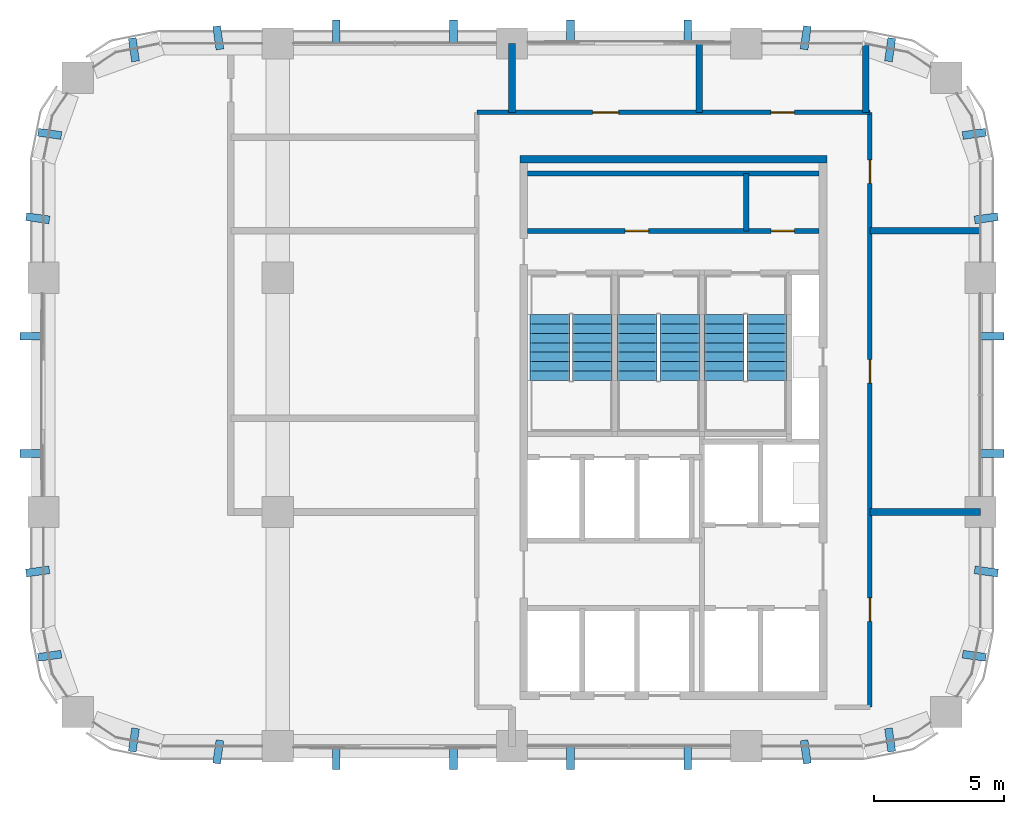
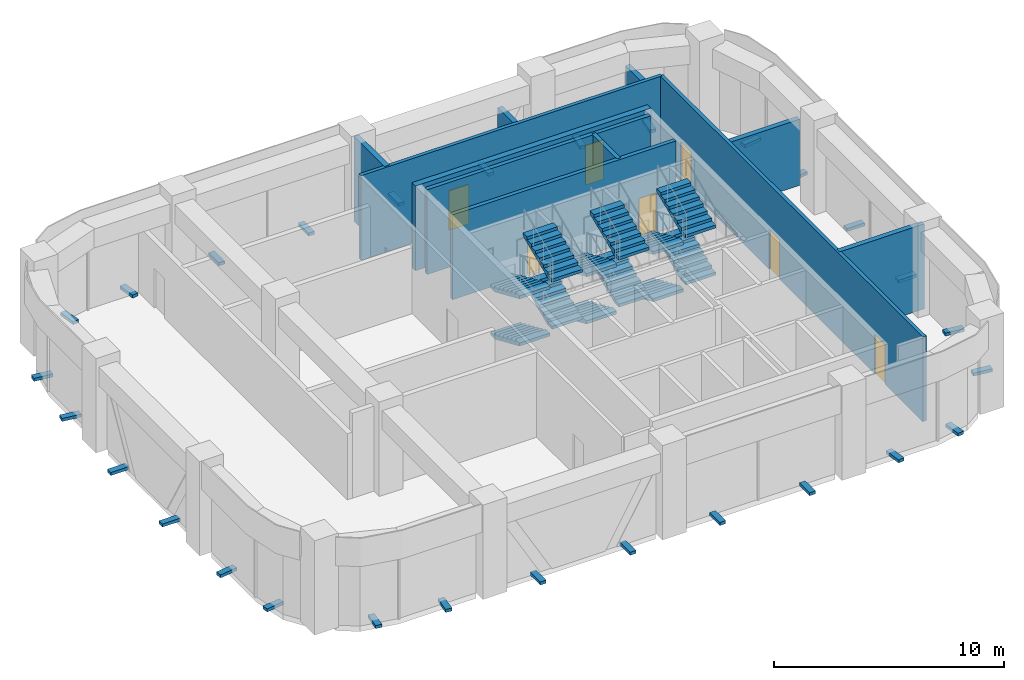
# One storey, part 9 of 11: 28 discrete accessories, 12 stair flights, 11 walls, 7 doors, 7 openings, 3 elements without a shape of their own.
"""IFC4 building model written with IfcOpenShell, lengths in metres."""

from ifc_helpers import new_model, si_unit, direction, frame, frame_2d, origin, origin_2d, place, context, subcontext, project, spatial, polyline, rectangle, outline, extrude, material, layer, layer_set, type_object, element, fill, aggregate, save


model = new_model("IFC4")

# Units and contexts
model_context = context("Model", 3, precision=1e-05, world=origin(), true_north=direction((0.0, 1.0)))
body_context = subcontext(model_context, "Body", "Model", "MODEL_VIEW")
ifc_project = project(units=[si_unit("LENGTHUNIT", "METRE"), si_unit("AREAUNIT", "SQUARE_METRE"), si_unit("VOLUMEUNIT", "CUBIC_METRE"), si_unit("PLANEANGLEUNIT", "RADIAN"), si_unit("MASSUNIT", "GRAM", prefix="KILO")], contexts=[model_context])

# Site, building, storey
site_placement = place(None, origin())
site = spatial("IfcSite", under=ifc_project, at=site_placement, CompositionType="ELEMENT")
building_placement = place(site_placement, origin())
building = spatial("IfcBuilding", under=site, at=building_placement, Name="Tessera Arch", CompositionType="ELEMENT")
storey_placement = place(building_placement, frame((0.0, 0.0, 290.199951171875)))
storey = spatial("IfcBuildingStorey", under=building, at=storey_placement, Name="L70", CompositionType="ELEMENT", Elevation=290.199951171875)

# Wall
ifc_material_1 = material(Name="Gypsum board on steel stud", Category="steel")
ifc_layer_1 = layer(ifc_material_1, 0.125)
ifc_layer_set_1 = layer_set([ifc_layer_1], Name="Core partition 125 EI 60")
wall_type_1 = type_object("IfcWallType", Name="Core partition 125 EI 60", PredefinedType="PARTITIONING", material=ifc_layer_set_1)
wall_1_placement = place(storey_placement, frame((45.0, 46.800048828125, 0.0), z_axis=(0.0, 0.0, 1.0), x_axis=(0.0, 1.0, 0.0)))
element("IfcWall", 1, at=wall_1_placement, inside=storey, type_object=wall_type_1, Name="L70 C1 partition wall 14", PredefinedType="PARTITIONING", context=body_context, shape_type="SweptSolid", body=[
    extrude(rectangle(XDim=2.199951171875, YDim=0.199951171875, at=frame_2d((1.10009765625, 0.0))), origin(), (0.0, 0.0, 1.0), 4.5),
])

# Wall, openings, doors
wall_2_placement = place(storey_placement, frame((36.60009765625, 46.800048828125, 0.0), z_axis=(0.0, 0.0, 1.0), x_axis=(1.0, 0.0, 0.0)))
wall_2 = element("IfcWall", 2, at=wall_2_placement, inside=storey, type_object=wall_type_1, Name="L70 C1 partition wall 38", PredefinedType="PARTITIONING", context=body_context, shape_type="SweptSolid", body=[
    extrude(rectangle(XDim=11.199951171875, YDim=0.199951171875, at=frame_2d((5.60009765625, 0.0))), origin(), (0.0, 0.0, 1.0), 4.5),
])
opening_1_placement = place(wall_2_placement, frame((3.75, 0.0, 0.0)))
opening_1 = element("IfcOpeningElement", 3, at=opening_1_placement, cuts=wall_2, Name="Opening L70-C18", PredefinedType="OPENING", context=body_context, shape_type="SweptSolid", body=[
    extrude(rectangle(XDim=0.89990234375, YDim=2.10009765625, at=frame_2d((0.449951171875, 1.050048828125))), frame((0.0, 0.10986328125, 0.0), z_axis=(0.0, -1.0, 0.0), x_axis=(1.0, 0.0, 0.0)), (0.0, 0.0, 1.0), 0.219970703125),
])
opening_2_placement = place(wall_2_placement, frame((9.35009765625, 0.0, 0.0)))
opening_2 = element("IfcOpeningElement", 4, at=opening_2_placement, cuts=wall_2, Name="Opening L70-C19", PredefinedType="OPENING", context=body_context, shape_type="SweptSolid", body=[
    extrude(rectangle(XDim=0.89990234375, YDim=2.10009765625, at=frame_2d((0.449951171875, 1.050048828125))), frame((0.0, 0.10986328125, 0.0), z_axis=(0.0, -1.0, 0.0), x_axis=(1.0, 0.0, 0.0)), (0.0, 0.0, 1.0), 0.219970703125),
])
ifc_material_2 = material(Name="Steel door leaf", Category="steel")
door_type_1 = type_object("IfcDoorType", Name="Store door FD30S 900 x 2100", OperationType="SINGLE_SWING_LEFT", PredefinedType="DOOR", material=ifc_material_2)
door_1_placement = place(opening_1_placement, origin())
door_1 = element("IfcDoor", 5, at=door_1_placement, inside=storey, type_object=door_type_1, Name="L70 C1 door 18 C18 type D09", OperationType="SINGLE_SWING_LEFT", OverallHeight=2.10009765625, OverallWidth=0.89990234375, PredefinedType="DOOR", context=body_context, shape_type="SweptSolid", body=[
    extrude(rectangle(XDim=0.89990234375, YDim=2.10009765625, at=frame_2d((0.449951171875, 1.050048828125))), frame((0.0, 0.02490234375, 0.0), z_axis=(0.0, -1.0, 0.0), x_axis=(1.0, 0.0, 0.0)), (0.0, 0.0, 1.0), 0.050048828125),
])
fill(opening_1, door_1)
door_2_placement = place(opening_2_placement, origin())
door_2 = element("IfcDoor", 6, at=door_2_placement, inside=storey, type_object=door_type_1, Name="L70 C1 door 19 C19 type D09", OperationType="SINGLE_SWING_RIGHT", OverallHeight=2.10009765625, OverallWidth=0.89990234375, PredefinedType="DOOR", context=body_context, shape_type="SweptSolid", body=[
    extrude(rectangle(XDim=0.89990234375, YDim=2.10009765625, at=frame_2d((0.449951171875, 1.050048828125))), frame((0.0, 0.02490234375, 0.0), z_axis=(0.0, -1.0, 0.0), x_axis=(1.0, 0.0, 0.0)), (0.0, 0.0, 1.0), 0.050048828125),
])
fill(opening_2, door_2)

# Walls
wall_3_placement = place(storey_placement, frame((36.60009765625, 49.0, 0.0), z_axis=(0.0, 0.0, 1.0), x_axis=(1.0, 0.0, 0.0)))
element("IfcWall", 7, at=wall_3_placement, inside=storey, type_object=wall_type_1, Name="L70 C1 partition wall 39", PredefinedType="PARTITIONING", context=body_context, shape_type="SweptSolid", body=[
    extrude(rectangle(XDim=11.199951171875, YDim=0.199951171875, at=frame_2d((5.60009765625, 0.0))), origin(), (0.0, 0.0, 1.0), 4.5),
])
ifc_material_3 = material(Name="Concrete C50/60", Category="concrete")
ifc_layer_2 = layer(ifc_material_3, 0.300048828125)
ifc_layer_set_2 = layer_set([ifc_layer_2], Name="Core shell wall 300 C50-60")
wall_type_2 = type_object("IfcWallType", Name="Core shell wall 300 C50-60", PredefinedType="SHEAR", material=ifc_layer_set_2)
wall_4_placement = place(storey_placement, frame((36.300048828125, 49.550048828125, 0.0), z_axis=(0.0, 0.0, 1.0), x_axis=(1.0, 0.0, 0.0)))
element("IfcWall", 8, at=wall_4_placement, inside=storey, type_object=wall_type_2, Name="L70 C1 core wall N", PredefinedType="SHEAR", context=body_context, shape_type="SweptSolid", body=[
    extrude(rectangle(XDim=11.800048828125, YDim=0.300048828125, at=frame_2d((5.89990234375, 0.0))), origin(), (0.0, 0.0, 1.0), 4.5),
])

# Wall, openings, doors
ifc_material_4 = material(Name="Gypsum board on deep steel stud with mineral wool", Category="steel")
ifc_layer_3 = layer(ifc_material_4, 0.175048828125)
ifc_layer_set_3 = layer_set([ifc_layer_3], Name="Corridor wall 175 EI 60")
wall_type_3 = type_object("IfcWallType", Name="Corridor wall 175 EI 60", PredefinedType="PARTITIONING", material=ifc_layer_set_3)
wall_5_placement = place(storey_placement, frame((34.64990234375, 51.35009765625, 0.0), z_axis=(0.0, 0.0, 1.0), x_axis=(1.0, 0.0, 0.0)))
wall_5 = element("IfcWall", 9, at=wall_5_placement, inside=storey, type_object=wall_type_3, Name="L70 partition 3", PredefinedType="PARTITIONING", context=body_context, shape_type="SweptSolid", body=[
    extrude(rectangle(XDim=15.10009765625, YDim=0.175048828125, at=frame_2d((7.550048828125, 0.0))), origin(), (0.0, 0.0, 1.0), 4.5),
])
opening_3_placement = place(wall_5_placement, frame((4.449951171875, 0.0, 0.0)))
opening_3 = element("IfcOpeningElement", 10, at=opening_3_placement, cuts=wall_5, Name="Opening L70-D008", PredefinedType="OPENING", context=body_context, shape_type="SweptSolid", body=[
    extrude(rectangle(XDim=1.0, YDim=2.10009765625, at=frame_2d((0.5, 1.050048828125))), frame((0.0, 0.097412109375, 0.0), z_axis=(0.0, -1.0, 0.0), x_axis=(1.0, 0.0, 0.0)), (0.0, 0.0, 1.0), 0.195068359375),
])
opening_4_placement = place(wall_5_placement, frame((11.294189453125, 0.0, 0.0)))
opening_4 = element("IfcOpeningElement", 11, at=opening_4_placement, cuts=wall_5, Name="Opening L70-D009", PredefinedType="OPENING", context=body_context, shape_type="SweptSolid", body=[
    extrude(rectangle(XDim=0.89990234375, YDim=2.10009765625, at=frame_2d((0.449951171875, 1.050048828125))), frame((0.0, 0.097412109375, 0.0), z_axis=(0.0, -1.0, 0.0), x_axis=(1.0, 0.0, 0.0)), (0.0, 0.0, 1.0), 0.195068359375),
])
ifc_material_5 = material(Name="Fire-rated door leaf")
door_type_2 = type_object("IfcDoorType", Name="Entrance door FD30S 1000 x 2100", OperationType="SINGLE_SWING_LEFT", PredefinedType="DOOR", material=ifc_material_5)
door_3_placement = place(opening_3_placement, origin())
door_3 = element("IfcDoor", 12, at=door_3_placement, inside=storey, type_object=door_type_2, Name="L70 door D008 type D03", OperationType="SINGLE_SWING_LEFT", OverallHeight=2.10009765625, OverallWidth=1.0, PredefinedType="DOOR", context=body_context, shape_type="SweptSolid", body=[
    extrude(rectangle(XDim=1.0, YDim=2.10009765625, at=frame_2d((0.5, 1.050048828125))), frame((0.0, 0.02490234375, 0.0), z_axis=(0.0, -1.0, 0.0), x_axis=(1.0, 0.0, 0.0)), (0.0, 0.0, 1.0), 0.050048828125),
])
fill(opening_3, door_3)
ifc_material_6 = material(Name="Timber door leaf", Category="wood")
door_type_3 = type_object("IfcDoorType", Name="Room door 900 x 2100", OperationType="SINGLE_SWING_LEFT", PredefinedType="DOOR", material=ifc_material_6)
door_4_placement = place(opening_4_placement, origin())
door_4 = element("IfcDoor", 13, at=door_4_placement, inside=storey, type_object=door_type_3, Name="L70 door D009 type D01", OperationType="SINGLE_SWING_RIGHT", OverallHeight=2.10009765625, OverallWidth=0.89990234375, PredefinedType="DOOR", context=body_context, shape_type="SweptSolid", body=[
    extrude(rectangle(XDim=0.89990234375, YDim=2.10009765625, at=frame_2d((0.449951171875, 1.050048828125))), frame((0.0, 0.02490234375, 0.0), z_axis=(0.0, -1.0, 0.0), x_axis=(1.0, 0.0, 0.0)), (0.0, 0.0, 1.0), 0.050048828125),
])
fill(opening_4, door_4)

wall_6_placement = place(storey_placement, frame((49.75, 28.5, 0.0), z_axis=(0.0, 0.0, 1.0), x_axis=(0.0, 1.0, 0.0)))
wall_6 = element("IfcWall", 14, at=wall_6_placement, inside=storey, type_object=wall_type_3, Name="L70 partition 5", PredefinedType="PARTITIONING", context=body_context, shape_type="SweptSolid", body=[
    extrude(rectangle(XDim=22.85009765625, YDim=0.175048828125, at=frame_2d((11.425048828125, 0.0))), origin(), (0.0, 0.0, 1.0), 4.5),
])
opening_5_placement = place(wall_6_placement, frame((3.300048828125, 0.0, 0.0)))
opening_5 = element("IfcOpeningElement", 15, at=opening_5_placement, cuts=wall_6, Name="Opening L70-D001", PredefinedType="OPENING", context=body_context, shape_type="SweptSolid", body=[
    extrude(rectangle(XDim=0.89990234375, YDim=2.10009765625, at=frame_2d((0.449951171875, 1.050048828125))), frame((0.0, 0.097412109375, 0.0), z_axis=(0.0, -1.0, 0.0), x_axis=(1.0, 0.0, 0.0)), (0.0, 0.0, 1.0), 0.195068359375),
])
opening_6_placement = place(wall_6_placement, frame((12.449951171875, 0.0, 0.0)))
opening_6 = element("IfcOpeningElement", 16, at=opening_6_placement, cuts=wall_6, Name="Opening L70-D004", PredefinedType="OPENING", context=body_context, shape_type="SweptSolid", body=[
    extrude(rectangle(XDim=0.89990234375, YDim=2.10009765625, at=frame_2d((0.449951171875, 1.050048828125))), frame((0.0, 0.097412109375, 0.0), z_axis=(0.0, -1.0, 0.0), x_axis=(1.0, 0.0, 0.0)), (0.0, 0.0, 1.0), 0.195068359375),
])
opening_7_placement = place(wall_6_placement, frame((20.125, 0.0, 0.0)))
opening_7 = element("IfcOpeningElement", 17, at=opening_7_placement, cuts=wall_6, Name="Opening L70-D007", PredefinedType="OPENING", context=body_context, shape_type="SweptSolid", body=[
    extrude(rectangle(XDim=0.89990234375, YDim=2.10009765625, at=frame_2d((0.449951171875, 1.050048828125))), frame((0.0, 0.097412109375, 0.0), z_axis=(0.0, -1.0, 0.0), x_axis=(1.0, 0.0, 0.0)), (0.0, 0.0, 1.0), 0.195068359375),
])
door_5_placement = place(opening_5_placement, origin())
door_5 = element("IfcDoor", 18, at=door_5_placement, inside=storey, type_object=door_type_3, Name="L70 door D001 type D01", OperationType="SINGLE_SWING_RIGHT", OverallHeight=2.10009765625, OverallWidth=0.89990234375, PredefinedType="DOOR", context=body_context, shape_type="SweptSolid", body=[
    extrude(rectangle(XDim=0.89990234375, YDim=2.10009765625, at=frame_2d((0.449951171875, 1.050048828125))), frame((0.0, 0.02490234375, 0.0), z_axis=(0.0, -1.0, 0.0), x_axis=(1.0, 0.0, 0.0)), (0.0, 0.0, 1.0), 0.050048828125),
])
fill(opening_5, door_5)
door_6_placement = place(opening_6_placement, origin())
door_6 = element("IfcDoor", 19, at=door_6_placement, inside=storey, type_object=door_type_3, Name="L70 door D004 type D01", OperationType="SINGLE_SWING_LEFT", OverallHeight=2.10009765625, OverallWidth=0.89990234375, PredefinedType="DOOR", context=body_context, shape_type="SweptSolid", body=[
    extrude(rectangle(XDim=0.89990234375, YDim=2.10009765625, at=frame_2d((0.449951171875, 1.050048828125))), frame((0.0, 0.02490234375, 0.0), z_axis=(0.0, -1.0, 0.0), x_axis=(1.0, 0.0, 0.0)), (0.0, 0.0, 1.0), 0.050048828125),
])
fill(opening_6, door_6)
door_7_placement = place(opening_7_placement, origin())
door_7 = element("IfcDoor", 20, at=door_7_placement, inside=storey, type_object=door_type_3, Name="L70 door D007 type D01", OperationType="SINGLE_SWING_RIGHT", OverallHeight=2.10009765625, OverallWidth=0.89990234375, PredefinedType="DOOR", context=body_context, shape_type="SweptSolid", body=[
    extrude(rectangle(XDim=0.89990234375, YDim=2.10009765625, at=frame_2d((0.449951171875, 1.050048828125))), frame((0.0, 0.02490234375, 0.0), z_axis=(0.0, -1.0, 0.0), x_axis=(1.0, 0.0, 0.0)), (0.0, 0.0, 1.0), 0.050048828125),
])
fill(opening_7, door_7)

# Walls
ifc_material_7 = material(Name="Double gypsum board on twin steel stud with acoustic mineral wool", Category="steel")
ifc_layer_4 = layer(ifc_material_7, 0.25)
ifc_layer_set_4 = layer_set([ifc_layer_4], Name="Party wall 250 EI 60")
wall_type_4 = type_object("IfcWallType", Name="Party wall 250 EI 60", PredefinedType="PARTITIONING", material=ifc_layer_set_4)
wall_7_placement = place(storey_placement, frame((49.75, 36.0, 0.0), z_axis=(0.0, 0.0, 1.0), x_axis=(1.0, 0.0, 0.0)))
element("IfcWall", 21, at=wall_7_placement, inside=storey, type_object=wall_type_4, Name="L70 partition 7", PredefinedType="PARTITIONING", context=body_context, shape_type="SweptSolid", body=[
    extrude(rectangle(XDim=4.25, YDim=0.25, at=frame_2d((2.125, 0.0))), origin(), (0.0, 0.0, 1.0), 4.5),
])
wall_8_placement = place(storey_placement, frame((49.75, 46.800048828125, 0.0), z_axis=(0.0, 0.0, 1.0), x_axis=(1.0, 0.0, 0.0)))
element("IfcWall", 22, at=wall_8_placement, inside=storey, type_object=wall_type_4, Name="L70 partition 10", PredefinedType="PARTITIONING", context=body_context, shape_type="SweptSolid", body=[
    extrude(rectangle(XDim=4.25, YDim=0.25, at=frame_2d((2.125, 0.0))), origin(), (0.0, 0.0, 1.0), 3.5),
])
wall_9_placement = place(storey_placement, frame((36.0, 51.35009765625, 0.0), z_axis=(0.0, 0.0, 1.0), x_axis=(0.0, 1.0, 0.0)))
element("IfcWall", 23, at=wall_9_placement, inside=storey, type_object=wall_type_4, Name="L70 partition 14", PredefinedType="PARTITIONING", context=body_context, shape_type="SweptSolid", body=[
    extrude(rectangle(XDim=2.64990234375, YDim=0.25, at=frame_2d((1.324951171875, 0.0))), origin(), (0.0, 0.0, 1.0), 4.5),
])
wall_10_placement = place(storey_placement, frame((43.199951171875, 51.35009765625, 0.0), z_axis=(0.0, 0.0, 1.0), x_axis=(0.0, 1.0, 0.0)))
element("IfcWall", 24, at=wall_10_placement, inside=storey, type_object=wall_type_4, Name="L70 partition 15", PredefinedType="PARTITIONING", context=body_context, shape_type="SweptSolid", body=[
    extrude(rectangle(XDim=2.64990234375, YDim=0.25, at=frame_2d((1.324951171875, 0.0))), origin(), (0.0, 0.0, 1.0), 3.5),
])
wall_11_placement = place(storey_placement, frame((49.589111328125, 51.35009765625, 0.0), z_axis=(0.0, 0.0, 1.0), x_axis=(0.0, 1.0, 0.0)))
element("IfcWall", 25, at=wall_11_placement, inside=storey, type_object=wall_type_4, Name="L70 partition 16", PredefinedType="PARTITIONING", context=body_context, shape_type="SweptSolid", body=[
    extrude(rectangle(XDim=2.63232421875, YDim=0.25, at=frame_2d((1.316162109375, 0.0))), origin(), (0.0, 0.0, 1.0), 3.5),
])

# Stair, stair flights
ifc_material_8 = material(Name="Concrete C40/50", Category="concrete")
stair_type = type_object("IfcStairType", Name="Dogleg stair 1520", PredefinedType="HALF_TURN_STAIR", material=ifc_material_8)
stair_1_placement = place(storey_placement, origin())
stair_1 = element("IfcStair", 26, at=stair_1_placement, inside=storey, type_object=stair_type, Name="L70 S1a", PredefinedType="HALF_TURN_STAIR")
ifc_material_9 = material(Name="Concrete C40/50", Category="concrete")
stair_flight_type = type_object("IfcStairFlightType", Name="Stair flight 1520", PredefinedType="STRAIGHT", material=ifc_material_9)
stair_flight_1_placement = place(storey_placement, frame((37.4599609375, 43.580078125, 0.0), z_axis=(0.0, 0.0, 1.0), x_axis=(0.0, -1.0, 0.0)))
stair_flight_1 = element("IfcStairFlight", 27, at=stair_flight_1_placement, type_object=stair_flight_type, Name="S1a flight 1", NumberOfRisers=8, NumberOfTreads=7, PredefinedType="STRAIGHT", RiserHeight=0.15625, TreadLength=0.36, context=body_context, shape_type="SweptSolid", body=[
    extrude(outline(polyline([(0.0, 0.0), (0.0, 0.15625), (0.360107421875, 0.15625), (0.360107421875, 0.3125), (0.719970703125, 0.3125), (0.719970703125, 0.46875), (1.080078125, 0.46875), (1.080078125, 0.625), (1.43994140625, 0.625), (1.43994140625, 0.78125), (1.800048828125, 0.78125), (1.800048828125, 0.9375), (2.159912109375, 0.9375), (2.159912109375, 1.09375), (2.52001953125, 1.09375), (2.52001953125, 1.25), (2.52001953125, 0.930419921875), (0.37646484375, 0.0), (0.0, 0.0)])), frame((0.0, 0.760009765625, 0.0), z_axis=(0.0, -1.0, 0.0), x_axis=(1.0, 0.0, 0.0)), (0.0, 0.0, 1.0), 1.52001953125),
])
stair_flight_2_placement = place(storey_placement, frame((39.090087890625, 41.06005859375, 1.25), z_axis=(0.0, 0.0, 1.0), x_axis=(0.0, 1.0, 0.0)))
stair_flight_2 = element("IfcStairFlight", 28, at=stair_flight_2_placement, type_object=stair_flight_type, Name="S1a flight 2", NumberOfRisers=8, NumberOfTreads=7, PredefinedType="STRAIGHT", RiserHeight=0.15625, TreadLength=0.36, context=body_context, shape_type="SweptSolid", body=[
    extrude(outline(polyline([(0.0, 0.0), (0.0, 0.15625), (0.360107421875, 0.15625), (0.360107421875, 0.3125), (0.719970703125, 0.3125), (0.719970703125, 0.46875), (1.080078125, 0.46875), (1.080078125, 0.625), (1.43994140625, 0.625), (1.43994140625, 0.78125), (1.800048828125, 0.78125), (1.800048828125, 0.9375), (2.159912109375, 0.9375), (2.159912109375, 1.09375), (2.52001953125, 1.09375), (2.52001953125, 1.25), (2.52001953125, 0.930419921875), (0.37646484375, 0.0), (0.0, 0.0)])), frame((0.0, 0.760009765625, 0.0), z_axis=(0.0, -1.0, 0.0), x_axis=(1.0, 0.0, 0.0)), (0.0, 0.0, 1.0), 1.52001953125),
])
stair_flight_3_placement = place(storey_placement, frame((37.4599609375, 43.580078125, 2.5), z_axis=(0.0, 0.0, 1.0), x_axis=(0.0, -1.0, 0.0)))
stair_flight_3 = element("IfcStairFlight", 29, at=stair_flight_3_placement, type_object=stair_flight_type, Name="S1a flight 3", NumberOfRisers=8, NumberOfTreads=7, PredefinedType="STRAIGHT", RiserHeight=0.15625, TreadLength=0.36, context=body_context, shape_type="SweptSolid", body=[
    extrude(outline(polyline([(0.0, 0.0), (0.0, 0.15625), (0.360107421875, 0.15625), (0.360107421875, 0.3125), (0.719970703125, 0.3125), (0.719970703125, 0.46875), (1.080078125, 0.46875), (1.080078125, 0.625), (1.43994140625, 0.625), (1.43994140625, 0.78125), (1.800048828125, 0.78125), (1.800048828125, 0.9375), (2.159912109375, 0.9375), (2.159912109375, 1.09375), (2.52001953125, 1.09375), (2.52001953125, 1.25), (2.52001953125, 0.930419921875), (0.37646484375, 0.0), (0.0, 0.0)])), frame((0.0, 0.760009765625, 0.0), z_axis=(0.0, -1.0, 0.0), x_axis=(1.0, 0.0, 0.0)), (0.0, 0.0, 1.0), 1.52001953125),
])
stair_flight_4_placement = place(storey_placement, frame((39.090087890625, 41.06005859375, 3.75), z_axis=(0.0, 0.0, 1.0), x_axis=(0.0, 1.0, 0.0)))
stair_flight_4 = element("IfcStairFlight", 30, at=stair_flight_4_placement, type_object=stair_flight_type, Name="S1a flight 4", NumberOfRisers=8, NumberOfTreads=7, PredefinedType="STRAIGHT", RiserHeight=0.15625, TreadLength=0.36, context=body_context, shape_type="SweptSolid", body=[
    extrude(outline(polyline([(0.0, 0.0), (0.0, 0.15625), (0.360107421875, 0.15625), (0.360107421875, 0.3125), (0.719970703125, 0.3125), (0.719970703125, 0.46875), (1.080078125, 0.46875), (1.080078125, 0.625), (1.43994140625, 0.625), (1.43994140625, 0.78125), (1.800048828125, 0.78125), (1.800048828125, 0.9375), (2.159912109375, 0.9375), (2.159912109375, 1.09375), (2.52001953125, 1.09375), (2.52001953125, 1.25), (2.52001953125, 0.930419921875), (0.37646484375, 0.0), (0.0, 0.0)])), frame((0.0, 0.760009765625, 0.0), z_axis=(0.0, -1.0, 0.0), x_axis=(1.0, 0.0, 0.0)), (0.0, 0.0, 1.0), 1.52001953125),
])
aggregate(stair_1, [stair_flight_1, stair_flight_2, stair_flight_3, stair_flight_4])

stair_2_placement = place(storey_placement, origin())
stair_2 = element("IfcStair", 31, at=stair_2_placement, inside=storey, type_object=stair_type, Name="L70 S1b", PredefinedType="HALF_TURN_STAIR")
stair_flight_5_placement = place(storey_placement, frame((40.81005859375, 43.580078125, 0.0), z_axis=(0.0, 0.0, 1.0), x_axis=(0.0, -1.0, 0.0)))
stair_flight_5 = element("IfcStairFlight", 32, at=stair_flight_5_placement, type_object=stair_flight_type, Name="S1b flight 1", NumberOfRisers=8, NumberOfTreads=7, PredefinedType="STRAIGHT", RiserHeight=0.15625, TreadLength=0.36, context=body_context, shape_type="SweptSolid", body=[
    extrude(outline(polyline([(0.0, 0.0), (0.0, 0.15625), (0.360107421875, 0.15625), (0.360107421875, 0.3125), (0.719970703125, 0.3125), (0.719970703125, 0.46875), (1.080078125, 0.46875), (1.080078125, 0.625), (1.43994140625, 0.625), (1.43994140625, 0.78125), (1.800048828125, 0.78125), (1.800048828125, 0.9375), (2.159912109375, 0.9375), (2.159912109375, 1.09375), (2.52001953125, 1.09375), (2.52001953125, 1.25), (2.52001953125, 0.930419921875), (0.37646484375, 0.0), (0.0, 0.0)])), frame((0.0, 0.760009765625, 0.0), z_axis=(0.0, -1.0, 0.0), x_axis=(1.0, 0.0, 0.0)), (0.0, 0.0, 1.0), 1.52001953125),
])
stair_flight_6_placement = place(storey_placement, frame((42.43994140625, 41.06005859375, 1.25), z_axis=(0.0, 0.0, 1.0), x_axis=(0.0, 1.0, 0.0)))
stair_flight_6 = element("IfcStairFlight", 33, at=stair_flight_6_placement, type_object=stair_flight_type, Name="S1b flight 2", NumberOfRisers=8, NumberOfTreads=7, PredefinedType="STRAIGHT", RiserHeight=0.15625, TreadLength=0.36, context=body_context, shape_type="SweptSolid", body=[
    extrude(outline(polyline([(0.0, 0.0), (0.0, 0.15625), (0.360107421875, 0.15625), (0.360107421875, 0.3125), (0.719970703125, 0.3125), (0.719970703125, 0.46875), (1.080078125, 0.46875), (1.080078125, 0.625), (1.43994140625, 0.625), (1.43994140625, 0.78125), (1.800048828125, 0.78125), (1.800048828125, 0.9375), (2.159912109375, 0.9375), (2.159912109375, 1.09375), (2.52001953125, 1.09375), (2.52001953125, 1.25), (2.52001953125, 0.930419921875), (0.37646484375, 0.0), (0.0, 0.0)])), frame((0.0, 0.760009765625, 0.0), z_axis=(0.0, -1.0, 0.0), x_axis=(1.0, 0.0, 0.0)), (0.0, 0.0, 1.0), 1.52001953125),
])
stair_flight_7_placement = place(storey_placement, frame((40.81005859375, 43.580078125, 2.5), z_axis=(0.0, 0.0, 1.0), x_axis=(0.0, -1.0, 0.0)))
stair_flight_7 = element("IfcStairFlight", 34, at=stair_flight_7_placement, type_object=stair_flight_type, Name="S1b flight 3", NumberOfRisers=8, NumberOfTreads=7, PredefinedType="STRAIGHT", RiserHeight=0.15625, TreadLength=0.36, context=body_context, shape_type="SweptSolid", body=[
    extrude(outline(polyline([(0.0, 0.0), (0.0, 0.15625), (0.360107421875, 0.15625), (0.360107421875, 0.3125), (0.719970703125, 0.3125), (0.719970703125, 0.46875), (1.080078125, 0.46875), (1.080078125, 0.625), (1.43994140625, 0.625), (1.43994140625, 0.78125), (1.800048828125, 0.78125), (1.800048828125, 0.9375), (2.159912109375, 0.9375), (2.159912109375, 1.09375), (2.52001953125, 1.09375), (2.52001953125, 1.25), (2.52001953125, 0.930419921875), (0.37646484375, 0.0), (0.0, 0.0)])), frame((0.0, 0.760009765625, 0.0), z_axis=(0.0, -1.0, 0.0), x_axis=(1.0, 0.0, 0.0)), (0.0, 0.0, 1.0), 1.52001953125),
])
stair_flight_8_placement = place(storey_placement, frame((42.43994140625, 41.06005859375, 3.75), z_axis=(0.0, 0.0, 1.0), x_axis=(0.0, 1.0, 0.0)))
stair_flight_8 = element("IfcStairFlight", 35, at=stair_flight_8_placement, type_object=stair_flight_type, Name="S1b flight 4", NumberOfRisers=8, NumberOfTreads=7, PredefinedType="STRAIGHT", RiserHeight=0.15625, TreadLength=0.36, context=body_context, shape_type="SweptSolid", body=[
    extrude(outline(polyline([(0.0, 0.0), (0.0, 0.15625), (0.360107421875, 0.15625), (0.360107421875, 0.3125), (0.719970703125, 0.3125), (0.719970703125, 0.46875), (1.080078125, 0.46875), (1.080078125, 0.625), (1.43994140625, 0.625), (1.43994140625, 0.78125), (1.800048828125, 0.78125), (1.800048828125, 0.9375), (2.159912109375, 0.9375), (2.159912109375, 1.09375), (2.52001953125, 1.09375), (2.52001953125, 1.25), (2.52001953125, 0.930419921875), (0.37646484375, 0.0), (0.0, 0.0)])), frame((0.0, 0.760009765625, 0.0), z_axis=(0.0, -1.0, 0.0), x_axis=(1.0, 0.0, 0.0)), (0.0, 0.0, 1.0), 1.52001953125),
])
aggregate(stair_2, [stair_flight_5, stair_flight_6, stair_flight_7, stair_flight_8])

stair_3_placement = place(storey_placement, origin())
stair_3 = element("IfcStair", 36, at=stair_3_placement, inside=storey, type_object=stair_type, Name="L70 S1c", PredefinedType="HALF_TURN_STAIR")
stair_flight_9_placement = place(storey_placement, frame((44.159912109375, 43.580078125, 0.0), z_axis=(0.0, 0.0, 1.0), x_axis=(0.0, -1.0, 0.0)))
stair_flight_9 = element("IfcStairFlight", 37, at=stair_flight_9_placement, type_object=stair_flight_type, Name="S1c flight 1", NumberOfRisers=8, NumberOfTreads=7, PredefinedType="STRAIGHT", RiserHeight=0.15625, TreadLength=0.36, context=body_context, shape_type="SweptSolid", body=[
    extrude(outline(polyline([(0.0, 0.0), (0.0, 0.15625), (0.360107421875, 0.15625), (0.360107421875, 0.3125), (0.719970703125, 0.3125), (0.719970703125, 0.46875), (1.080078125, 0.46875), (1.080078125, 0.625), (1.43994140625, 0.625), (1.43994140625, 0.78125), (1.800048828125, 0.78125), (1.800048828125, 0.9375), (2.159912109375, 0.9375), (2.159912109375, 1.09375), (2.52001953125, 1.09375), (2.52001953125, 1.25), (2.52001953125, 0.930419921875), (0.37646484375, 0.0), (0.0, 0.0)])), frame((0.0, 0.760009765625, 0.0), z_axis=(0.0, -1.0, 0.0), x_axis=(1.0, 0.0, 0.0)), (0.0, 0.0, 1.0), 1.52001953125),
])
stair_flight_10_placement = place(storey_placement, frame((45.7900390625, 41.06005859375, 1.25), z_axis=(0.0, 0.0, 1.0), x_axis=(0.0, 1.0, 0.0)))
stair_flight_10 = element("IfcStairFlight", 38, at=stair_flight_10_placement, type_object=stair_flight_type, Name="S1c flight 2", NumberOfRisers=8, NumberOfTreads=7, PredefinedType="STRAIGHT", RiserHeight=0.15625, TreadLength=0.36, context=body_context, shape_type="SweptSolid", body=[
    extrude(outline(polyline([(0.0, 0.0), (0.0, 0.15625), (0.360107421875, 0.15625), (0.360107421875, 0.3125), (0.719970703125, 0.3125), (0.719970703125, 0.46875), (1.080078125, 0.46875), (1.080078125, 0.625), (1.43994140625, 0.625), (1.43994140625, 0.78125), (1.800048828125, 0.78125), (1.800048828125, 0.9375), (2.159912109375, 0.9375), (2.159912109375, 1.09375), (2.52001953125, 1.09375), (2.52001953125, 1.25), (2.52001953125, 0.930419921875), (0.37646484375, 0.0), (0.0, 0.0)])), frame((0.0, 0.760009765625, 0.0), z_axis=(0.0, -1.0, 0.0), x_axis=(1.0, 0.0, 0.0)), (0.0, 0.0, 1.0), 1.52001953125),
])
stair_flight_11_placement = place(storey_placement, frame((44.159912109375, 43.580078125, 2.5), z_axis=(0.0, 0.0, 1.0), x_axis=(0.0, -1.0, 0.0)))
stair_flight_11 = element("IfcStairFlight", 39, at=stair_flight_11_placement, type_object=stair_flight_type, Name="S1c flight 3", NumberOfRisers=8, NumberOfTreads=7, PredefinedType="STRAIGHT", RiserHeight=0.15625, TreadLength=0.36, context=body_context, shape_type="SweptSolid", body=[
    extrude(outline(polyline([(0.0, 0.0), (0.0, 0.15625), (0.360107421875, 0.15625), (0.360107421875, 0.3125), (0.719970703125, 0.3125), (0.719970703125, 0.46875), (1.080078125, 0.46875), (1.080078125, 0.625), (1.43994140625, 0.625), (1.43994140625, 0.78125), (1.800048828125, 0.78125), (1.800048828125, 0.9375), (2.159912109375, 0.9375), (2.159912109375, 1.09375), (2.52001953125, 1.09375), (2.52001953125, 1.25), (2.52001953125, 0.930419921875), (0.37646484375, 0.0), (0.0, 0.0)])), frame((0.0, 0.760009765625, 0.0), z_axis=(0.0, -1.0, 0.0), x_axis=(1.0, 0.0, 0.0)), (0.0, 0.0, 1.0), 1.52001953125),
])
stair_flight_12_placement = place(storey_placement, frame((45.7900390625, 41.06005859375, 3.75), z_axis=(0.0, 0.0, 1.0), x_axis=(0.0, 1.0, 0.0)))
stair_flight_12 = element("IfcStairFlight", 40, at=stair_flight_12_placement, type_object=stair_flight_type, Name="S1c flight 4", NumberOfRisers=8, NumberOfTreads=7, PredefinedType="STRAIGHT", RiserHeight=0.15625, TreadLength=0.36, context=body_context, shape_type="SweptSolid", body=[
    extrude(outline(polyline([(0.0, 0.0), (0.0, 0.15625), (0.360107421875, 0.15625), (0.360107421875, 0.3125), (0.719970703125, 0.3125), (0.719970703125, 0.46875), (1.080078125, 0.46875), (1.080078125, 0.625), (1.43994140625, 0.625), (1.43994140625, 0.78125), (1.800048828125, 0.78125), (1.800048828125, 0.9375), (2.159912109375, 0.9375), (2.159912109375, 1.09375), (2.52001953125, 1.09375), (2.52001953125, 1.25), (2.52001953125, 0.930419921875), (0.37646484375, 0.0), (0.0, 0.0)])), frame((0.0, 0.760009765625, 0.0), z_axis=(0.0, -1.0, 0.0), x_axis=(1.0, 0.0, 0.0)), (0.0, 0.0, 1.0), 1.52001953125),
])
aggregate(stair_3, [stair_flight_9, stair_flight_10, stair_flight_11, stair_flight_12])

# Discrete accessories
for number, where, z_axis, x_axis, name in (
    (41, (54.449951171875, 38.25, 0.0), (0.0, 0.0, 1.0), (1.0, 0.0, 0.0), "Screen panel bracket"),
    (42, (54.449951171875, 42.75, 0.0), (0.0, 0.0, 1.0), (1.0, 0.0, 0.0), "Screen panel bracket"),
    (43, (54.21630859375, 47.283447265625, 0.0), (0.0, 0.0, 1.0), (0.99013890656, 0.140089063515, 0.0), "Screen panel bracket"),
    (44, (53.7578125, 50.5244140625, 0.0), (0.0, 0.0, 1.0), (0.99013890656, 0.140089063515, 0.0), "Screen panel bracket"),
    (45, (50.5244140625, 53.7578125, 0.0), (0.0, 0.0, 1.0), (0.140089063515, 0.99013890656, 0.0), "Screen panel bracket"),
    (46, (47.283447265625, 54.21630859375, 0.0), (0.0, 0.0, 1.0), (0.140089063515, 0.99013890656, 0.0), "Screen panel bracket"),
    (47, (42.75, 54.449951171875, 0.0), (0.0, 0.0, 1.0), (0.0, 1.0, 0.0), "Screen panel bracket"),
    (48, (38.25, 54.449951171875, 0.0), (0.0, 0.0, 1.0), (0.0, 1.0, 0.0), "Screen panel bracket"),
    (49, (33.75, 54.449951171875, 0.0), (0.0, 0.0, 1.0), (0.0, 1.0, 0.0), "Screen panel bracket"),
    (50, (29.25, 54.449951171875, 0.0), (0.0, 0.0, 1.0), (0.0, 1.0, 0.0), "Screen panel bracket"),
    (51, (24.716552734375, 54.21630859375, 0.0), (0.0, 0.0, 1.0), (-0.140089063515, 0.99013890656, 0.0), "Screen panel bracket"),
    (52, (21.4755859375, 53.7578125, 0.0), (0.0, 0.0, 1.0), (-0.140089063515, 0.99013890656, 0.0), "Screen panel bracket"),
    (53, (18.2421875, 50.5244140625, 0.0), (0.0, 0.0, 1.0), (-0.99013890656, 0.140089063515, 0.0), "Screen panel bracket"),
    (54, (17.78369140625, 47.283447265625, 0.0), (0.0, 0.0, 1.0), (-0.99013890656, 0.140089063515, 0.0), "Screen panel bracket"),
    (55, (17.550048828125, 42.75, 0.0), (0.0, 0.0, 1.0), (-1.0, 0.0, 0.0), "Screen panel bracket"),
    (56, (17.550048828125, 38.25, 0.0), (0.0, 0.0, 1.0), (-1.0, 0.0, 0.0), "Screen panel bracket"),
    (57, (17.78369140625, 33.716552734375, 0.0), (0.0, 0.0, 1.0), (-0.99013890656, -0.140089063515, 0.0), "Screen panel bracket"),
    (58, (18.2421875, 30.4755859375, 0.0), (0.0, 0.0, 1.0), (-0.99013890656, -0.140089063515, 0.0), "Screen panel bracket"),
    (59, (21.4755859375, 27.2421875, 0.0), (0.0, 0.0, 1.0), (-0.140089063515, -0.99013890656, 0.0), "Screen panel bracket"),
    (60, (24.716552734375, 26.78369140625, 0.0), (0.0, 0.0, 1.0), (-0.140089063515, -0.99013890656, 0.0), "Screen panel bracket"),
    (61, (29.25, 26.550048828125, 0.0), (0.0, 0.0, 1.0), (0.0, -1.0, 0.0), "Screen panel bracket"),
    (62, (33.75, 26.550048828125, 0.0), (0.0, 0.0, 1.0), (0.0, -1.0, 0.0), "Screen panel bracket"),
    (63, (38.25, 26.550048828125, 0.0), (0.0, 0.0, 1.0), (0.0, -1.0, 0.0), "Screen panel bracket"),
    (64, (42.75, 26.550048828125, 0.0), (0.0, 0.0, 1.0), (0.0, -1.0, 0.0), "Screen panel bracket"),
    (65, (47.283447265625, 26.78369140625, 0.0), (0.0, 0.0, 1.0), (0.140089063515, -0.99013890656, 0.0), "Screen panel bracket"),
    (66, (50.5244140625, 27.2421875, 0.0), (0.0, 0.0, 1.0), (0.140089063515, -0.99013890656, 0.0), "Screen panel bracket"),
    (67, (53.7578125, 30.4755859375, 0.0), (0.0, 0.0, 1.0), (0.99013890656, -0.140089063515, 0.0), "Screen panel bracket"),
    (68, (54.21630859375, 33.716552734375, 0.0), (0.0, 0.0, 1.0), (0.99013890656, -0.140089063515, 0.0), "Screen panel bracket"),
):
    element("IfcDiscreteAccessory", number, at=place(storey_placement, frame(where, z_axis=z_axis, x_axis=x_axis)), inside=storey, Name=name, PredefinedType="BRACKET", context=body_context, shape_type="SweptSolid", body=[
        extrude(rectangle(XDim=0.89990234375, YDim=0.300048828125, at=origin_2d()), origin(), (0.0, 0.0, 1.0), 0.159912109375),
    ])

save(model, "model.ifc")
